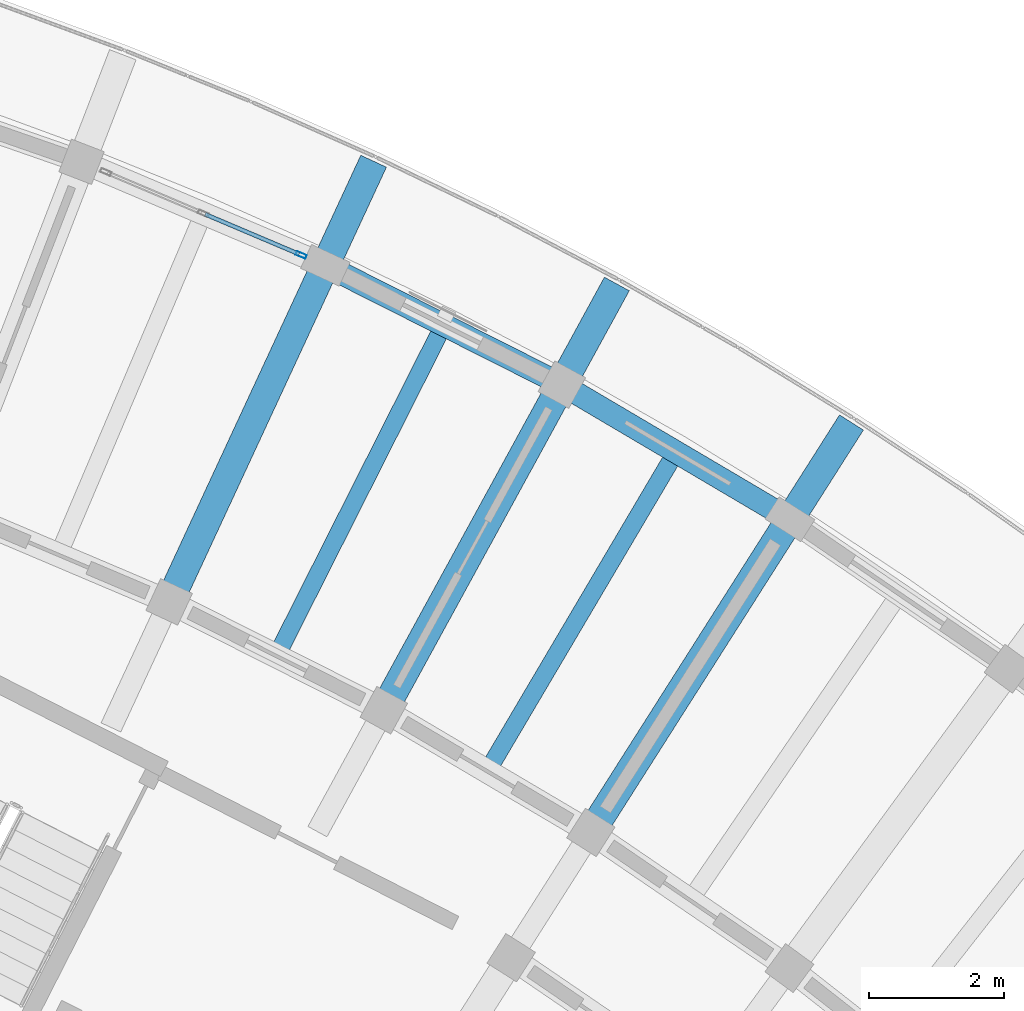
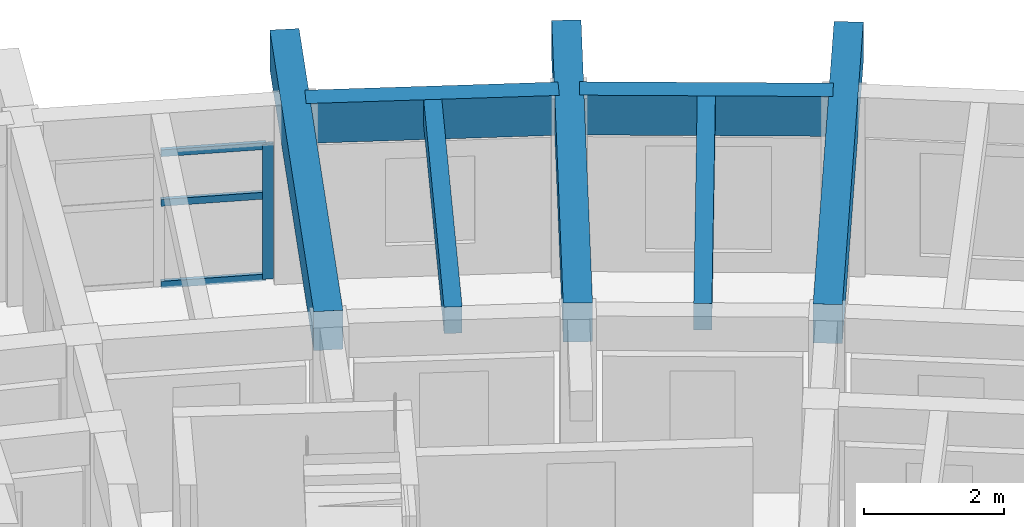
# One storey, part 13 of 36: 7 beams, 4 members, 1 element without a shape of its own.
"""IFC4 building model written with IfcOpenShell, lengths in metres."""

from ifc_helpers import new_model, si_unit, direction, frame, origin, origin_2d, place, context, subcontext, project, spatial, rectangle, hollow_rectangle, extrude, material, material_profile, profile_set, type_object, element, aggregate, save


model = new_model("IFC4")

# Units and contexts
model_context = context("Model", 3, precision=1e-05, world=origin(), true_north=direction((0.0, 1.0)))
body_context = subcontext(model_context, "Body", "Model", "MODEL_VIEW")
ifc_project = project(units=[si_unit("LENGTHUNIT", "METRE"), si_unit("AREAUNIT", "SQUARE_METRE"), si_unit("VOLUMEUNIT", "CUBIC_METRE"), si_unit("PLANEANGLEUNIT", "RADIAN"), si_unit("MASSUNIT", "GRAM", prefix="KILO")], contexts=[model_context])

# Site, building, storey
site_placement = place(None, origin())
site = spatial("IfcSite", under=ifc_project, at=site_placement, CompositionType="ELEMENT")
building_placement = place(site_placement, origin())
building = spatial("IfcBuilding", under=site, at=building_placement, Name="Tanwirah Colonnade Gardens", CompositionType="ELEMENT")
storey_placement = place(building_placement, frame((0.0, 0.0, 39.080078125)))
storey = spatial("IfcBuildingStorey", under=building, at=storey_placement, Name="L11", CompositionType="ELEMENT", Elevation=39.080078125)

# Beams
ifc_material_1 = material(Name="Precast concrete C45/55", Category="concrete")
ifc_material_profile_1 = material_profile(ifc_material_1, rectangle(XDim=0.419921875, YDim=0.679931640625, at=origin_2d()), Name="PC-BM 420x680")
ifc_profile_set_1 = profile_set([ifc_material_profile_1], Name="Precast concrete C45/55")
beam_type_1 = type_object("IfcBeamType", Name="BM-PC420", PredefinedType="BEAM", material=ifc_profile_set_1)
for number, where, z_axis, x_axis, name in (
    (1, (150.077392578125, 105.93994140625, 2.780029296875), (0.536451921133, 0.843930883611, 0.0), (-0.843930883611, 0.536451921133, 0.0), "Block B L11 Outer Radial Precast Girder 11"),
    (2, (147.00048828125, 107.75634765625, 2.780029296875), (0.479686549155, 0.877439920769, 0.0), (-0.877439920769, 0.479686549155, 0.0), "Block B L11 Outer Radial Precast Girder 12"),
    (3, (143.810546875, 109.3662109375, 2.780029296875), (0.420855908645, 0.9071275016, 0.0), (-0.9071275016, 0.420855908645, 0.0), "Block B L11 Outer Radial Precast Girder 13"),
):
    element("IfcBeam", number, at=place(storey_placement, frame(where, z_axis=z_axis, x_axis=x_axis)), inside=storey, type_object=beam_type_1, Name=name, PredefinedType="BEAM", context=body_context, shape_type="SweptSolid", body=[
        extrude(rectangle(XDim=0.419921875, YDim=0.679931640625, at=origin_2d()), origin(), (0.0, 0.0, 1.0), 7.050048828125),
    ])

# Curtain wall, members
ifc_material_2 = material(Name="Bronze-anodised aluminium and solar-control low-E glass", Category="aluminium")
curtain_wall_type = type_object("IfcCurtainWallType", Name="CW-LOB", PredefinedType="NOTDEFINED", material=ifc_material_2)
curtain_wall_placement = place(storey_placement, origin())
curtain_wall = element("IfcCurtainWall", 4, at=curtain_wall_placement, inside=storey, type_object=curtain_wall_type, Name="Curtain Wall CW-B-L11-OUT-13", PredefinedType="NOTDEFINED")
ifc_material_3 = material(Name="Bronze-anodised aluminium", Category="aluminium")
ifc_material_profile_2 = material_profile(ifc_material_3, hollow_rectangle(XDim=0.06005859375, YDim=0.159912109375, WallThickness=0.00390625, at=origin_2d()), Name="CW-MUL 60x160x4")
ifc_profile_set_2 = profile_set([ifc_material_profile_2], Name="Bronze-anodised aluminium")
member_type_1 = type_object("IfcMemberType", Name="CWM-60x160", PredefinedType="MULLION", material=ifc_profile_set_2)
member_1_placement = place(storey_placement, frame((145.703125, 114.371826171875, 0.0), z_axis=(0.0, 0.0, 1.0), x_axis=(-0.390729607022, -0.920505499276, 0.0)))
member_1 = element("IfcMember", 5, at=member_1_placement, type_object=member_type_1, Name="CW-LOB mullion 1", PredefinedType="MULLION", context=body_context, shape_type="SweptSolid", body=[
    extrude(hollow_rectangle(XDim=0.06005859375, YDim=0.159912109375, WallThickness=0.00390625, at=origin_2d()), origin(), (0.0, 0.0, 1.0), 2.35498046875),
])
ifc_material_profile_3 = material_profile(ifc_material_3, hollow_rectangle(XDim=0.06005859375, YDim=0.1201171875, WallThickness=0.00390625, at=origin_2d()), Name="CW-TRN 60x120x4")
ifc_profile_set_3 = profile_set([ifc_material_profile_3], Name="Bronze-anodised aluminium")
member_type_2 = type_object("IfcMemberType", Name="CWT-60x120", PredefinedType="USERDEFINED", material=ifc_profile_set_3)
member_2_placement = place(storey_placement, frame((145.675537109375, 114.383544921875, 0.030029296875), z_axis=(-0.920516714387, 0.3907031847, 0.0), x_axis=(-0.3907031847, -0.920516714387, 0.0)))
member_2 = element("IfcMember", 6, at=member_2_placement, type_object=member_type_2, Name="CW-LOB transom 1.1", ObjectType="TRANSOM", PredefinedType="USERDEFINED", context=body_context, shape_type="SweptSolid", body=[
    extrude(hollow_rectangle(XDim=0.06005859375, YDim=0.1201171875, WallThickness=0.00390625, at=origin_2d()), origin(), (0.0, 0.0, 1.0), 1.512939453125),
])
member_3_placement = place(storey_placement, frame((145.675537109375, 114.383544921875, 1.4599609375), z_axis=(-0.920516714387, 0.3907031847, 0.0), x_axis=(-0.3907031847, -0.920516714387, 0.0)))
member_3 = element("IfcMember", 7, at=member_3_placement, type_object=member_type_2, Name="CW-LOB transom 1.2", ObjectType="TRANSOM", PredefinedType="USERDEFINED", context=body_context, shape_type="SweptSolid", body=[
    extrude(hollow_rectangle(XDim=0.06005859375, YDim=0.1201171875, WallThickness=0.00390625, at=origin_2d()), origin(), (0.0, 0.0, 1.0), 1.512939453125),
])
member_4_placement = place(storey_placement, frame((145.675537109375, 114.383544921875, 2.324951171875), z_axis=(-0.920516714387, 0.3907031847, 0.0), x_axis=(-0.3907031847, -0.920516714387, 0.0)))
member_4 = element("IfcMember", 8, at=member_4_placement, type_object=member_type_2, Name="CW-LOB transom 1.3", ObjectType="TRANSOM", PredefinedType="USERDEFINED", context=body_context, shape_type="SweptSolid", body=[
    extrude(hollow_rectangle(XDim=0.06005859375, YDim=0.1201171875, WallThickness=0.00390625, at=origin_2d()), origin(), (0.0, 0.0, 1.0), 1.512939453125),
])
aggregate(curtain_wall, [member_1, member_2, member_3, member_4])

# Beams
ifc_material_4 = material(Name="Precast concrete C40/50", Category="concrete")
ifc_material_profile_4 = material_profile(ifc_material_4, rectangle(XDim=0.260009765625, YDim=0.4599609375, at=origin_2d()), Name="PC-JST 260x460")
ifc_profile_set_4 = profile_set([ifc_material_profile_4], Name="Precast concrete C40/50")
beam_type_2 = type_object("IfcBeamType", Name="JST-PC260", PredefinedType="JOIST", material=ifc_profile_set_4)
for number, where, z_axis, x_axis, name in (
    (9, (148.53857421875, 106.84765625, 2.889892578125), (0.508360236823, 0.86114451146, 0.0), (-0.86114451146, 0.508360236823, 0.0), "Block B L11 Precast Floor Joist 11"),
    (10, (145.4052734375, 108.560791015625, 2.889892578125), (0.450533699488, 0.892759422031, 0.0), (-0.892759422031, 0.450533699488, 0.0), "Block B L11 Precast Floor Joist 12"),
):
    element("IfcBeam", number, at=place(storey_placement, frame(where, z_axis=z_axis, x_axis=x_axis)), inside=storey, type_object=beam_type_2, Name=name, PredefinedType="JOIST", context=body_context, shape_type="SweptSolid", body=[
        extrude(rectangle(XDim=0.260009765625, YDim=0.4599609375, at=origin_2d()), origin(), (0.0, 0.0, 1.0), 5.26025390625),
    ])
ifc_material_profile_5 = material_profile(ifc_material_4, rectangle(XDim=0.3349609375, YDim=0.695068359375, at=origin_2d()), Name="PC-SP 335x695")
ifc_profile_set_5 = profile_set([ifc_material_profile_5], Name="Precast concrete C40/50")
beam_type_3 = type_object("IfcBeamType", Name="SP-PC300", PredefinedType="SPANDREL", material=ifc_profile_set_5)
beam_1_placement = place(storey_placement, frame((152.818359375, 110.53125, 2.7724609375), z_axis=(-0.861136912545, 0.5083731089, 0.0), x_axis=(-0.5083731089, -0.861136912545, 0.0)))
element("IfcBeam", 11, at=beam_1_placement, inside=storey, type_object=beam_type_3, Name="Block B L11 Circumferential Beam 11-R3", PredefinedType="SPANDREL", context=body_context, shape_type="SweptSolid", body=[
    extrude(rectangle(XDim=0.3349609375, YDim=0.695068359375, at=origin_2d()), origin(), (0.0, 0.0, 1.0), 3.625732421875),
])
beam_2_placement = place(storey_placement, frame((149.43310546875, 112.518310546875, 2.7724609375), z_axis=(-0.892764670911, 0.450523298368, 0.0), x_axis=(-0.450523298368, -0.892764670911, 0.0)))
element("IfcBeam", 12, at=beam_2_placement, inside=storey, type_object=beam_type_3, Name="Block B L11 Circumferential Beam 12-R3", PredefinedType="SPANDREL", context=body_context, shape_type="SweptSolid", body=[
    extrude(rectangle(XDim=0.3349609375, YDim=0.695068359375, at=origin_2d()), origin(), (0.0, 0.0, 1.0), 3.6259765625),
])

save(model, "model.ifc")
